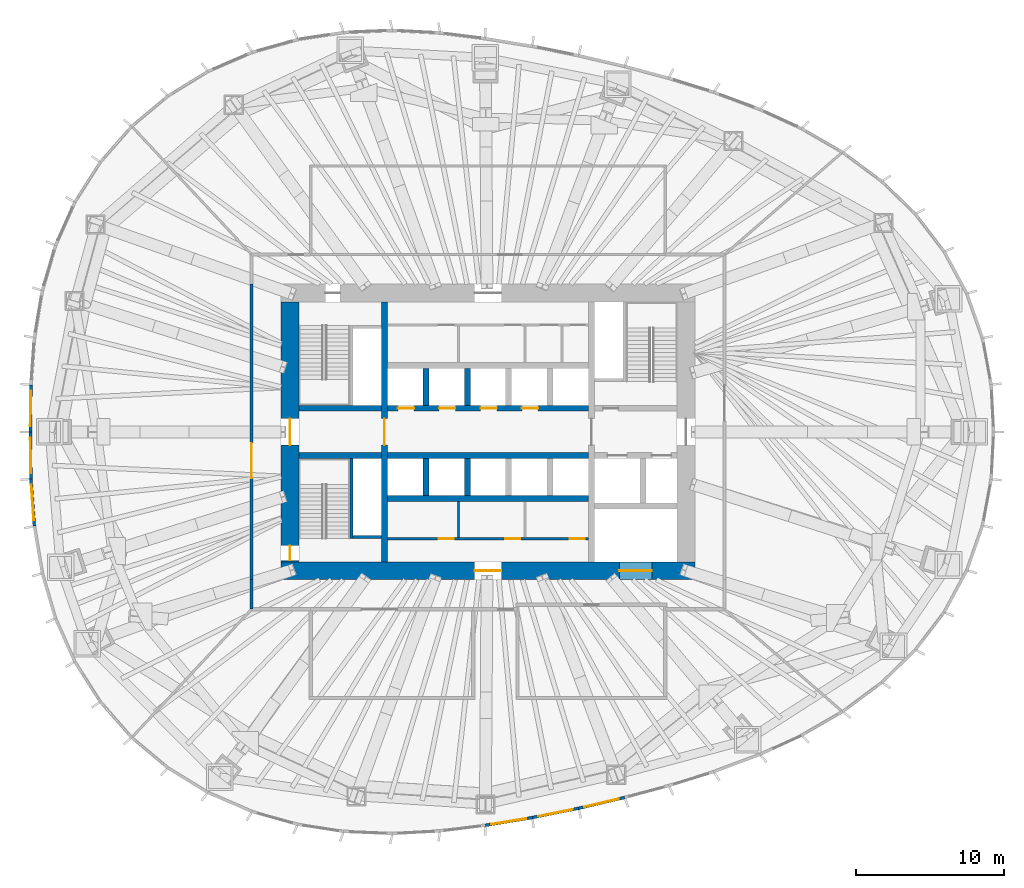
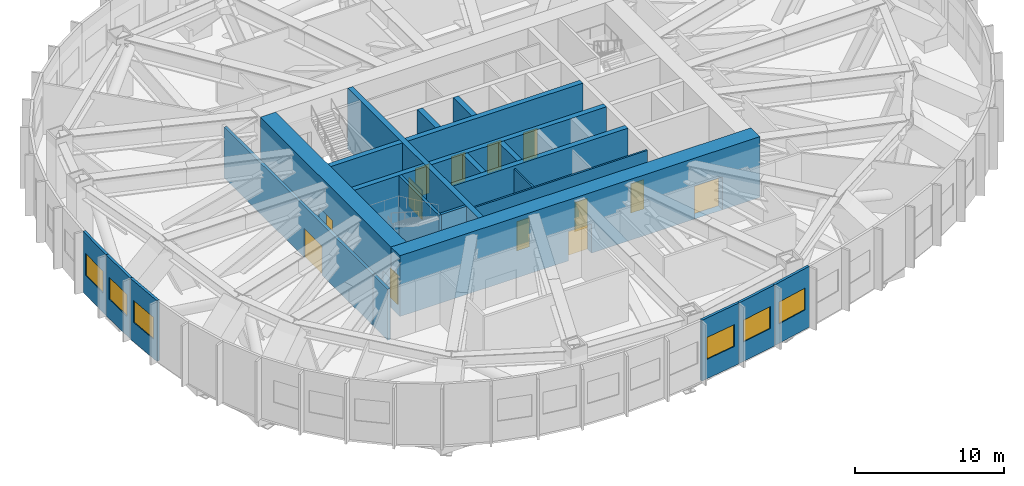
# One storey, part 7 of 12: 24 walls, 13 doors, 6 windows, 19 openings.
"""IFC4 building model written with IfcOpenShell, lengths in metres."""

import ifcopenshell
import ifcopenshell.guid

model = None  # the IFC model being written
_history = None  # IfcOwnerHistory: only IFC2X3 demands one
_inside = {}  # id of a spatial element -> (the spatial element, [elements in it])
_under = {}  # id of a project, library or spatial element -> (it, [spatial elements below it])
_declared = {}  # id of a project -> (the project, [libraries it declares])
_typed = {}  # id of a type object -> (the type object, [elements of that type])
_made_of = {}  # id of a material, layer set ... -> (it, [elements and type objects made of it])


def new_model(schema):
    """Start an empty IFC model of exactly this schema.

    Asked for "IFC4X3", IfcOpenShell would pick the latest addendum, in which some entities
    have other attributes; the version numbers below select the first issue.
    IFC2X3 requires an IfcOwnerHistory on every rooted entity: one is made here for all.
    """
    global model, _history
    if schema == "IFC4X3":
        model = ifcopenshell.file(schema_version=(4, 3, 0, 0))
    else:
        model = ifcopenshell.file(schema=schema)
    _inside.clear()
    _under.clear()
    _declared.clear()
    _typed.clear()
    _made_of.clear()
    _history = None
    if model.schema == "IFC2X3":
        org = make("IfcOrganization", Name="unknown")
        user = make(
            "IfcPersonAndOrganization",
            ThePerson=make("IfcPerson", FamilyName="unknown"),
            TheOrganization=org,
        )
        app = make(
            "IfcApplication",
            ApplicationDeveloper=org,
            Version="unknown",
            ApplicationFullName="unknown",
            ApplicationIdentifier="unknown",
        )
        _history = make(
            "IfcOwnerHistory",
            OwningUser=user,
            OwningApplication=app,
            ChangeAction="ADDED",
            CreationDate=0,
        )
    return model


def make(cls, **values):
    """One entity of the class cls with the attributes given. An attribute that is None is left unset."""
    return model.create_entity(
        cls, **{name: value for name, value in values.items() if value is not None}
    )


def rooted(cls, **values):
    """An entity with a GlobalId (a new one), such as an element, a storey or a relation."""
    return make(cls, GlobalId=ifcopenshell.guid.new(), OwnerHistory=_history, **values)


def si_unit(unit_type, name, prefix=None):
    """IfcSIUnit, for example si_unit("LENGTHUNIT", "METRE", prefix="MILLI")."""
    return make("IfcSIUnit", UnitType=unit_type, Prefix=prefix, Name=name)


def assignment(units):
    """IfcUnitAssignment: the units of a project."""
    return None if units is None else make("IfcUnitAssignment", Units=units)


def point(xyz):
    """IfcCartesianPoint."""
    return None if xyz is None else make("IfcCartesianPoint", Coordinates=xyz)


def direction(xyz):
    """IfcDirection."""
    return None if xyz is None else make("IfcDirection", DirectionRatios=xyz)


def frame(location, z_axis=None, x_axis=None):
    """IfcAxis2Placement3D, a coordinate frame: its origin and axes. An axis left out is left unset."""
    return make(
        "IfcAxis2Placement3D",
        Location=point(location),
        Axis=direction(z_axis),
        RefDirection=direction(x_axis),
    )


def frame_2d(location, x_axis=None):
    """IfcAxis2Placement2D, a coordinate frame in the plane: its origin and x axis."""
    return make(
        "IfcAxis2Placement2D", Location=point(location), RefDirection=direction(x_axis)
    )


def origin():
    """The frame at (0, 0, 0) with its axes left unset."""
    return frame((0.0, 0.0, 0.0))


def place(relative_to, where):
    """IfcLocalPlacement: puts the frame where relative to a parent placement (None: the world)."""
    return make(
        "IfcLocalPlacement", PlacementRelTo=relative_to, RelativePlacement=where
    )


def context(
    kind, dimensions, precision=None, world=None, true_north=None, identifier=None
):
    """IfcGeometricRepresentationContext, for example the 3D "Model" context."""
    return make(
        "IfcGeometricRepresentationContext",
        ContextIdentifier=identifier,
        ContextType=kind,
        CoordinateSpaceDimension=dimensions,
        Precision=precision,
        WorldCoordinateSystem=world,
        TrueNorth=true_north,
    )


def subcontext(parent, identifier, kind, view, scale=None):
    """IfcGeometricRepresentationSubContext, for example "Body" below "Model"."""
    return make(
        "IfcGeometricRepresentationSubContext",
        ContextIdentifier=identifier,
        ContextType=kind,
        ParentContext=parent,
        TargetScale=scale,
        TargetView=view,
    )


def project(units=None, contexts=None):
    """IfcProject with its units and contexts."""
    return rooted(
        "IfcProject",
        Name="project",
        RepresentationContexts=contexts,
        UnitsInContext=assignment(units),
    )


def spatial(cls, under=None, at=None, **own):
    """A site, building, storey or space (cls), placed at a placement, below another one or the project."""
    s = rooted(cls, ObjectPlacement=at, **own)
    if under is not None:
        _under.setdefault(under.id(), (under, []))[1].append(s)
    return s


def profile(cls, at=None, kind="AREA", **sizes):
    """A parametric profile (cls). Its sizes go by their IFC names, for example OverallWidth=200.0."""
    return make(cls, ProfileType=kind, Position=at, **sizes)


def rectangle(**sizes):
    """IfcRectangleProfileDef."""
    return profile("IfcRectangleProfileDef", **sizes)


def extrude(swept, where, along, depth):
    """IfcExtrudedAreaSolid: the profile swept, set in the frame where, extruded along a direction by depth."""
    return make(
        "IfcExtrudedAreaSolid",
        SweptArea=swept,
        Position=where,
        ExtrudedDirection=direction(along),
        Depth=depth,
    )


def shape(context_of_items, identifier, shape_type, items):
    """IfcShapeRepresentation: the items that make up one representation, for example the "Body"."""
    return make(
        "IfcShapeRepresentation",
        ContextOfItems=context_of_items,
        RepresentationIdentifier=identifier,
        RepresentationType=shape_type,
        Items=items,
    )


def material(Name=None, Category=None):
    """IfcMaterial."""
    return make("IfcMaterial", Name=Name, Category=Category)


def layer(
    of_material, thickness, ventilated=None, Name=None, Category=None, Priority=None
):
    """IfcMaterialLayer: one layer of a wall or slab, of a material (None: an air gap)."""
    return make(
        "IfcMaterialLayer",
        Material=of_material,
        LayerThickness=thickness,
        IsVentilated=ventilated,
        Name=Name,
        Category=Category,
        Priority=Priority,
    )


def layer_set(layers, Name=None):
    """IfcMaterialLayerSet."""
    return make("IfcMaterialLayerSet", MaterialLayers=layers, LayerSetName=Name)


def made_of(thing, what):
    """Note that an element or type object is made of a material, layer set ...; save() writes the relation."""
    if what is not None:
        _made_of.setdefault(what.id(), (what, []))[1].append(thing)
    return thing


def type_object(cls, material=None, **own):
    """A type object (cls), such as IfcWallType, which elements share."""
    return made_of(rooted(cls, **own), material)


def element(
    cls,
    number,
    at=None,
    inside=None,
    cuts=None,
    type_object=None,
    material=None,
    context=None,
    identifier="Body",
    shape_type=None,
    held_by="IfcProductDefinitionShape",
    body=None,
    shapes=None,
    **own,
):
    """One element of the class cls, such as IfcWall. Its Tag is "e" and its number.

    at: its placement. inside: the storey or other place that contains it. cuts: it is an
    opening in that element (IfcRelVoidsElement). A single representation is given by context,
    identifier, shape_type and body (its items); several are given by shapes. held_by: the class
    of the entity that holds the representations. save() writes the other relations.
    """
    e = rooted(cls, Tag="e%d" % number, ObjectPlacement=at, **own)
    if body is not None:
        shapes = [shape(context, identifier, shape_type, body)]
    if shapes is not None:
        e.Representation = make(held_by, Representations=shapes)
    if inside is not None:
        _inside.setdefault(inside.id(), (inside, []))[1].append(e)
    if cuts is not None:
        rooted(
            "IfcRelVoidsElement", RelatingBuildingElement=cuts, RelatedOpeningElement=e
        )
    if type_object is not None:
        _typed.setdefault(type_object.id(), (type_object, []))[1].append(e)
    return made_of(e, material)


def fill(opening, filler):
    """IfcRelFillsElement: the door or window that sits in an opening."""
    return rooted(
        "IfcRelFillsElement",
        RelatingOpeningElement=opening,
        RelatedBuildingElement=filler,
    )


def aggregate(whole, parts):
    """IfcRelAggregates: a whole, such as a stair, and the parts it consists of."""
    return rooted("IfcRelAggregates", RelatingObject=whole, RelatedObjects=parts)


def save(model, path):
    """Write the relations noted so far, then the file.

    IfcRelAggregates (storeys below a building ...), IfcRelContainedInSpatialStructure (elements
    in a storey), IfcRelDefinesByType, IfcRelAssociatesMaterial and IfcRelDeclares: one each for
    every whole, place, type object, material and project.
    """
    for whole, parts in _under.values():
        aggregate(whole, parts)
    for where, things in _inside.values():
        rooted(
            "IfcRelContainedInSpatialStructure",
            RelatedElements=things,
            RelatingStructure=where,
        )
    for kind, things in _typed.values():
        rooted("IfcRelDefinesByType", RelatedObjects=things, RelatingType=kind)
    for what, things in _made_of.values():
        rooted("IfcRelAssociatesMaterial", RelatedObjects=things, RelatingMaterial=what)
    for by, libraries in _declared.values():
        rooted("IfcRelDeclares", RelatingContext=by, RelatedDefinitions=libraries)
    model.write(path)


model = new_model("IFC4")

# Units and contexts
model_context = context("Model", 3, precision=1e-05, world=origin(), true_north=direction((0.0, 1.0)))
body_context = subcontext(model_context, "Body", "Model", "MODEL_VIEW")
ifc_project = project(units=[si_unit("LENGTHUNIT", "METRE"), si_unit("AREAUNIT", "SQUARE_METRE"), si_unit("VOLUMEUNIT", "CUBIC_METRE"), si_unit("PLANEANGLEUNIT", "RADIAN"), si_unit("MASSUNIT", "GRAM", prefix="KILO")], contexts=[model_context])

# Site, building, storey
site_placement = place(None, origin())
site = spatial("IfcSite", under=ifc_project, at=site_placement, CompositionType="ELEMENT")
building_placement = place(site_placement, origin())
building = spatial("IfcBuilding", under=site, at=building_placement, Name="Ghaith Harvest Tower", CompositionType="ELEMENT")
storey_placement = place(building_placement, frame((0.0, 0.0, 100.0)))
storey = spatial("IfcBuildingStorey", under=building, at=storey_placement, Name="L20", CompositionType="ELEMENT", Elevation=100.0)

# Wall, opening, door
ifc_material_1 = material(Name="Concrete blockwork, 1-hour", Category="masonry")
ifc_layer_1 = layer(ifc_material_1, 0.215087890625)
ifc_layer_set_1 = layer_set([ifc_layer_1], Name="BLOCKWORK WALL 215")
wall_type_1 = type_object("IfcWallType", Name="BLOCKWORK WALL 215", PredefinedType="PARTITIONING", material=ifc_layer_set_1)
wall_1_placement = place(storey_placement, frame((-16.0, 10.0, 0.0), z_axis=(0.0, 0.0, 1.0), x_axis=(0.0, -1.0, 0.0)))
wall_1 = element("IfcWall", 1, at=wall_1_placement, inside=storey, type_object=wall_type_1, Name="Plant room wall L20", PredefinedType="PARTITIONING", context=body_context, shape_type="SweptSolid", body=[
    extrude(rectangle(XDim=20.0, YDim=0.215087890625, at=frame_2d((10.0, 0.0))), origin(), (0.0, 0.0, 1.0), 4.199951171875),
])
opening_1_placement = place(wall_1_placement, frame((10.75, 0.0, 0.0)))
opening_1 = element("IfcOpeningElement", 2, at=opening_1_placement, cuts=wall_1, Name="Opening 20-030", PredefinedType="OPENING", context=body_context, shape_type="SweptSolid", body=[
    extrude(rectangle(XDim=2.39990234375, YDim=2.39990234375, at=frame_2d((1.199951171875, 1.199951171875))), frame((0.0, 0.11767578125, 0.0), z_axis=(0.0, -1.0, 0.0), x_axis=(1.0, 0.0, 0.0)), (0.0, 0.0, 1.0), 0.235107421875),
])
ifc_material_2 = material(Name="Timber door", Category="wood")
door_type_1 = type_object("IfcDoorType", Name="D10 PLANT PAIR 2400x2400", OperationType="DOUBLE_DOOR_SINGLE_SWING", PredefinedType="DOOR", material=ifc_material_2)
door_1_placement = place(opening_1_placement, origin())
door_1 = element("IfcDoor", 3, at=door_1_placement, inside=storey, type_object=door_type_1, Name="Mechanical plant room west door", OperationType="DOUBLE_DOOR_SINGLE_SWING", OverallHeight=2.39990234375, OverallWidth=2.39990234375, PredefinedType="DOOR", context=body_context, shape_type="SweptSolid", body=[
    extrude(rectangle(XDim=2.39990234375, YDim=2.39990234375, at=frame_2d((1.199951171875, 1.199951171875))), frame((0.0, 0.02490234375, 0.0), z_axis=(0.0, -1.0, 0.0), x_axis=(1.0, 0.0, 0.0)), (0.0, 0.0, 1.0), 0.050048828125),
])
fill(opening_1, door_1)

# Wall
wall_2_placement = place(storey_placement, frame((-16.0, -10.0, 0.0), z_axis=(0.0, 0.0, 1.0), x_axis=(0.0, -1.0, 0.0)))
element("IfcWall", 4, at=wall_2_placement, inside=storey, type_object=wall_type_1, Name="Plant room wall L20", PredefinedType="PARTITIONING", context=body_context, shape_type="SweptSolid", body=[
    extrude(rectangle(XDim=2.0, YDim=0.215087890625, at=frame_2d((1.0, 0.0))), origin(), (0.0, 0.0, 1.0), 4.199951171875),
])

# Wall, openings, doors
ifc_material_3 = material(Name="Concrete blockwork, fair-faced", Category="masonry")
ifc_layer_2 = layer(ifc_material_3, 0.139892578125)
ifc_layer_set_2 = layer_set([ifc_layer_2], Name="CORE PARTITION 140")
wall_type_2 = type_object("IfcWallType", Name="CORE PARTITION 140", PredefinedType="PARTITIONING", material=ifc_layer_set_2)
wall_3_placement = place(storey_placement, frame((-6.800048828125, -7.22998046875, 0.0), z_axis=(0.0, 0.0, 1.0), x_axis=(1.0, 0.0, 0.0)))
wall_3 = element("IfcWall", 5, at=wall_3_placement, inside=storey, type_object=wall_type_2, Name="Core partition L20", PredefinedType="PARTITIONING", context=body_context, shape_type="SweptSolid", body=[
    extrude(rectangle(XDim=13.60009765625, YDim=0.139892578125, at=frame_2d((6.800048828125, 0.0))), origin(), (0.0, 0.0, 1.0), 4.75),
])
opening_2_placement = place(wall_3_placement, frame((3.47998046875, 0.0, 0.0)))
opening_2 = element("IfcOpeningElement", 6, at=opening_2_placement, cuts=wall_3, Name="Opening 20-012", PredefinedType="OPENING", context=body_context, shape_type="SweptSolid", body=[
    extrude(rectangle(XDim=1.0, YDim=2.39990234375, at=frame_2d((0.5, 1.199951171875))), frame((0.0, 0.080078125, 0.0), z_axis=(0.0, -1.0, 0.0), x_axis=(1.0, 0.0, 0.0)), (0.0, 0.0, 1.0), 0.159912109375),
])
opening_3_placement = place(wall_3_placement, frame((7.97998046875, 0.0, 0.0)))
opening_3 = element("IfcOpeningElement", 7, at=opening_3_placement, cuts=wall_3, Name="Opening 20-013", PredefinedType="OPENING", context=body_context, shape_type="SweptSolid", body=[
    extrude(rectangle(XDim=1.0, YDim=2.39990234375, at=frame_2d((0.5, 1.199951171875))), frame((0.0, 0.080078125, 0.0), z_axis=(0.0, -1.0, 0.0), x_axis=(1.0, 0.0, 0.0)), (0.0, 0.0, 1.0), 0.159912109375),
])
opening_4_placement = place(wall_3_placement, frame((12.35009765625, 0.0, 0.0)))
opening_4 = element("IfcOpeningElement", 8, at=opening_4_placement, cuts=wall_3, Name="Opening 20-014", PredefinedType="OPENING", context=body_context, shape_type="SweptSolid", body=[
    extrude(rectangle(XDim=1.0, YDim=2.39990234375, at=frame_2d((0.5, 1.199951171875))), frame((0.0, 0.080078125, 0.0), z_axis=(0.0, -1.0, 0.0), x_axis=(1.0, 0.0, 0.0)), (0.0, 0.0, 1.0), 0.159912109375),
])
ifc_material_4 = material(Name="Steel fire door", Category="steel")
door_type_2 = type_object("IfcDoorType", Name="D3 FD90 1000x2400", OperationType="SINGLE_SWING_LEFT", PredefinedType="DOOR", material=ifc_material_4)
door_2_placement = place(opening_2_placement, origin())
door_2 = element("IfcDoor", 9, at=door_2_placement, inside=storey, type_object=door_type_2, Name="Electrical room door", OperationType="SINGLE_SWING_LEFT", OverallHeight=2.39990234375, OverallWidth=1.0, PredefinedType="DOOR", context=body_context, shape_type="SweptSolid", body=[
    extrude(rectangle(XDim=1.0, YDim=2.39990234375, at=frame_2d((0.5, 1.199951171875))), frame((0.0, 0.02490234375, 0.0), z_axis=(0.0, -1.0, 0.0), x_axis=(1.0, 0.0, 0.0)), (0.0, 0.0, 1.0), 0.050048828125),
])
fill(opening_2, door_2)
door_3_placement = place(opening_3_placement, origin())
door_3 = element("IfcDoor", 10, at=door_3_placement, inside=storey, type_object=door_type_2, Name="Communications equipment room door", OperationType="SINGLE_SWING_RIGHT", OverallHeight=2.39990234375, OverallWidth=1.0, PredefinedType="DOOR", context=body_context, shape_type="SweptSolid", body=[
    extrude(rectangle(XDim=1.0, YDim=2.39990234375, at=frame_2d((0.5, 1.199951171875))), frame((0.0, 0.02490234375, 0.0), z_axis=(0.0, -1.0, 0.0), x_axis=(1.0, 0.0, 0.0)), (0.0, 0.0, 1.0), 0.050048828125),
])
fill(opening_3, door_3)
door_4_placement = place(opening_4_placement, origin())
door_4 = element("IfcDoor", 11, at=door_4_placement, inside=storey, type_object=door_type_2, Name="Riser room door", OperationType="SINGLE_SWING_RIGHT", OverallHeight=2.39990234375, OverallWidth=1.0, PredefinedType="DOOR", context=body_context, shape_type="SweptSolid", body=[
    extrude(rectangle(XDim=1.0, YDim=2.39990234375, at=frame_2d((0.5, 1.199951171875))), frame((0.0, 0.02490234375, 0.0), z_axis=(0.0, -1.0, 0.0), x_axis=(1.0, 0.0, 0.0)), (0.0, 0.0, 1.0), 0.050048828125),
])
fill(opening_4, door_4)

# Wall
wall_4_placement = place(storey_placement, frame((-2.0, -4.699951171875, 0.0), z_axis=(0.0, 0.0, 1.0), x_axis=(0.0, -1.0, 0.0)))
element("IfcWall", 12, at=wall_4_placement, inside=storey, type_object=wall_type_2, Name="Core partition L20", PredefinedType="PARTITIONING", context=body_context, shape_type="SweptSolid", body=[
    extrude(rectangle(XDim=2.4599609375, YDim=0.139892578125, at=frame_2d((1.22998046875, 0.0))), origin(), (0.0, 0.0, 1.0), 4.75),
])

# Wall, openings, doors
ifc_material_5 = material(Name="Concrete C70/85", Category="concrete")
ifc_layer_3 = layer(ifc_material_5, 1.199951171875)
ifc_layer_set_3 = layer_set([ifc_layer_3], Name="CORE WALL CW1200")
wall_type_3 = type_object("IfcWallType", Name="CORE WALL CW1200", PredefinedType="SHEAR", material=ifc_layer_set_3)
wall_5_placement = place(storey_placement, frame((-14.0, -9.39990234375, 0.0), z_axis=(0.0, 0.0, 1.0), x_axis=(1.0, 0.0, 0.0)))
wall_5 = element("IfcWall", 13, at=wall_5_placement, inside=storey, type_object=wall_type_3, Name="Core wall S L20", PredefinedType="SHEAR", context=body_context, shape_type="SweptSolid", body=[
    extrude(rectangle(XDim=28.0, YDim=1.199951171875, at=frame_2d((14.0, 0.0))), origin(), (0.0, 0.0, 1.0), 5.0),
])
opening_5_placement = place(wall_5_placement, frame((13.10009765625, 0.0, 0.0)))
opening_5 = element("IfcOpeningElement", 14, at=opening_5_placement, cuts=wall_5, Name="Opening 20-016", PredefinedType="OPENING", context=body_context, shape_type="SweptSolid", body=[
    extrude(rectangle(XDim=1.800048828125, YDim=2.39990234375, at=frame_2d((0.89990234375, 1.199951171875))), frame((0.0, 0.60986328125, 0.0), z_axis=(0.0, -1.0, 0.0), x_axis=(1.0, 0.0, 0.0)), (0.0, 0.0, 1.0), 1.219970703125),
])
opening_6_placement = place(wall_5_placement, frame((22.89990234375, 0.0, 0.0)))
opening_6 = element("IfcOpeningElement", 15, at=opening_6_placement, cuts=wall_5, Name="Opening 20-023", PredefinedType="OPENING", context=body_context, shape_type="SweptSolid", body=[
    extrude(rectangle(XDim=2.199951171875, YDim=2.699951171875, at=frame_2d((1.10009765625, 1.35009765625))), frame((0.0, 0.60986328125, 0.0), z_axis=(0.0, -1.0, 0.0), x_axis=(1.0, 0.0, 0.0)), (0.0, 0.0, 1.0), 1.219970703125),
])
ifc_material_6 = material(Name="Steel fire door", Category="steel")
door_type_3 = type_object("IfcDoorType", Name="D4 FD90 PAIR 1800x2400", OperationType="DOUBLE_DOOR_SINGLE_SWING", PredefinedType="DOOR", material=ifc_material_6)
door_5_placement = place(opening_5_placement, origin())
door_5 = element("IfcDoor", 16, at=door_5_placement, inside=storey, type_object=door_type_3, Name="Core service corridor doors", OperationType="DOUBLE_DOOR_SINGLE_SWING", OverallHeight=2.39990234375, OverallWidth=1.800048828125, PredefinedType="DOOR", context=body_context, shape_type="SweptSolid", body=[
    extrude(rectangle(XDim=1.800048828125, YDim=2.39990234375, at=frame_2d((0.89990234375, 1.199951171875))), frame((0.0, 0.02490234375, 0.0), z_axis=(0.0, -1.0, 0.0), x_axis=(1.0, 0.0, 0.0)), (0.0, 0.0, 1.0), 0.050048828125),
])
fill(opening_5, door_5)
ifc_material_7 = material(Name="Steel fire door", Category="steel")
door_type_4 = type_object("IfcDoorType", Name="LD3 LANDING 2200x2700", OperationType="DOUBLE_DOOR_SLIDING", PredefinedType="DOOR", material=ifc_material_7)
door_6_placement = place(opening_6_placement, origin())
door_6 = element("IfcDoor", 17, at=door_6_placement, inside=storey, type_object=door_type_4, Name="Landing door, goods lift GL1", OperationType="DOUBLE_DOOR_SLIDING", OverallHeight=2.699951171875, OverallWidth=2.199951171875, PredefinedType="DOOR", context=body_context, shape_type="SweptSolid", body=[
    extrude(rectangle(XDim=2.199951171875, YDim=2.699951171875, at=frame_2d((1.10009765625, 1.35009765625))), frame((0.0, 0.02490234375, 0.0), z_axis=(0.0, -1.0, 0.0), x_axis=(1.0, 0.0, 0.0)), (0.0, 0.0, 1.0), 0.050048828125),
])
fill(opening_6, door_6)

wall_6_placement = place(storey_placement, frame((-13.39990234375, 8.800048828125, 0.0), z_axis=(0.0, 0.0, 1.0), x_axis=(0.0, -1.0, 0.0)))
wall_6 = element("IfcWall", 18, at=wall_6_placement, inside=storey, type_object=wall_type_3, Name="Core wall W L20", PredefinedType="SHEAR", context=body_context, shape_type="SweptSolid", body=[
    extrude(rectangle(XDim=17.60009765625, YDim=1.199951171875, at=frame_2d((8.800048828125, 0.0))), origin(), (0.0, 0.0, 1.0), 5.0),
])
opening_7_placement = place(wall_6_placement, frame((7.89990234375, 0.0, 0.0)))
opening_7 = element("IfcOpeningElement", 19, at=opening_7_placement, cuts=wall_6, Name="Opening 20-001", PredefinedType="OPENING", context=body_context, shape_type="SweptSolid", body=[
    extrude(rectangle(XDim=1.800048828125, YDim=2.39990234375, at=frame_2d((0.89990234375, 1.199951171875))), frame((0.0, 0.60986328125, 0.0), z_axis=(0.0, -1.0, 0.0), x_axis=(1.0, 0.0, 0.0)), (0.0, 0.0, 1.0), 1.219970703125),
])
opening_8_placement = place(wall_6_placement, frame((16.5, 0.0, 0.0)))
opening_8 = element("IfcOpeningElement", 20, at=opening_8_placement, cuts=wall_6, Name="Opening 20-006", PredefinedType="OPENING", context=body_context, shape_type="SweptSolid", body=[
    extrude(rectangle(XDim=1.0, YDim=2.39990234375, at=frame_2d((0.5, 1.199951171875))), frame((0.0, 0.60986328125, 0.0), z_axis=(0.0, -1.0, 0.0), x_axis=(1.0, 0.0, 0.0)), (0.0, 0.0, 1.0), 1.219970703125),
])
door_7_placement = place(opening_8_placement, origin())
door_7 = element("IfcDoor", 21, at=door_7_placement, inside=storey, type_object=door_type_2, Name="Stair ST3 door", OperationType="SINGLE_SWING_RIGHT", OverallHeight=2.39990234375, OverallWidth=1.0, PredefinedType="DOOR", context=body_context, shape_type="SweptSolid", body=[
    extrude(rectangle(XDim=1.0, YDim=2.39990234375, at=frame_2d((0.5, 1.199951171875))), frame((0.0, 0.02490234375, 0.0), z_axis=(0.0, -1.0, 0.0), x_axis=(1.0, 0.0, 0.0)), (0.0, 0.0, 1.0), 0.050048828125),
])
fill(opening_8, door_7)
door_8_placement = place(opening_7_placement, origin())
door_8 = element("IfcDoor", 22, at=door_8_placement, inside=storey, type_object=door_type_3, Name="West lobby doors", OperationType="DOUBLE_DOOR_SINGLE_SWING", OverallHeight=2.39990234375, OverallWidth=1.800048828125, PredefinedType="DOOR", context=body_context, shape_type="SweptSolid", body=[
    extrude(rectangle(XDim=1.800048828125, YDim=2.39990234375, at=frame_2d((0.89990234375, 1.199951171875))), frame((0.0, 0.02490234375, 0.0), z_axis=(0.0, -1.0, 0.0), x_axis=(1.0, 0.0, 0.0)), (0.0, 0.0, 1.0), 0.050048828125),
])
fill(opening_7, door_8)

# Wall, opening, window
ifc_material_8 = material(Name="Steel, black insulated metal cladding panel", Category="steel")
ifc_layer_4 = layer(ifc_material_8, 0.199951171875)
ifc_layer_set_4 = layer_set([ifc_layer_4], Name="PLANT ENCLOSURE WALL 200")
wall_type_4 = type_object("IfcWallType", Name="PLANT ENCLOSURE WALL 200", PredefinedType="SOLIDWALL", material=ifc_layer_set_4)
wall_7_placement = place(storey_placement, frame((-30.9365234375, 3.176025390625, 0.0), z_axis=(0.0, 0.0, 1.0), x_axis=(-0.012144542076, -0.99992625233, 0.0)))
wall_7 = element("IfcWall", 23, at=wall_7_placement, inside=storey, type_object=wall_type_4, Name="Plant enclosure wall 10.3 L20", PredefinedType="SOLIDWALL", context=body_context, shape_type="SweptSolid", body=[
    extrude(rectangle(XDim=3.17626953125, YDim=0.199951171875, at=frame_2d((1.588134765625, 0.0))), origin(), (0.0, 0.0, 1.0), 5.0),
])
opening_9_placement = place(wall_7_placement, frame((0.38818359375, 0.0, 1.60009765625)))
opening_9 = element("IfcOpeningElement", 24, at=opening_9_placement, cuts=wall_7, Name="Opening LV1", PredefinedType="OPENING", context=body_context, shape_type="SweptSolid", body=[
    extrude(rectangle(XDim=2.39990234375, YDim=1.800048828125, at=frame_2d((1.199951171875, 0.89990234375))), frame((0.0, 0.10986328125, 0.0), z_axis=(0.0, -1.0, 0.0), x_axis=(1.0, 0.0, 0.0)), (0.0, 0.0, 1.0), 0.219970703125),
])
ifc_material_9 = material(Name="Aluminium louvre, black", Category="aluminium")
window_type = type_object("IfcWindowType", Name="LOUVRE L1 2400x1800", PartitioningType="SINGLE_PANEL", PredefinedType="WINDOW", material=ifc_material_9)
window_1_placement = place(opening_9_placement, origin())
window_1 = element("IfcWindow", 25, at=window_1_placement, inside=storey, type_object=window_type, Name="Plant louvre 10.3 L20", OverallHeight=1.800048828125, OverallWidth=2.39990234375, PartitioningType="SINGLE_PANEL", PredefinedType="WINDOW", context=body_context, shape_type="SweptSolid", body=[
    extrude(rectangle(XDim=2.39990234375, YDim=1.800048828125, at=frame_2d((1.199951171875, 0.89990234375))), frame((0.0, 0.030029296875, 0.0), z_axis=(0.0, -1.0, 0.0), x_axis=(1.0, 0.0, 0.0)), (0.0, 0.0, 1.0), 0.06005859375),
])
fill(opening_9, window_1)

wall_8_placement = place(storey_placement, frame((-30.97509765625, 0.0, 0.0), z_axis=(0.0, 0.0, 1.0), x_axis=(0.012144542076, -0.99992625233, 0.0)))
wall_8 = element("IfcWall", 26, at=wall_8_placement, inside=storey, type_object=wall_type_4, Name="Plant enclosure wall 11.1 L20", PredefinedType="SOLIDWALL", context=body_context, shape_type="SweptSolid", body=[
    extrude(rectangle(XDim=3.17626953125, YDim=0.199951171875, at=frame_2d((1.588134765625, 0.0))), origin(), (0.0, 0.0, 1.0), 5.0),
])
opening_10_placement = place(wall_8_placement, frame((0.38818359375, 0.0, 1.60009765625)))
opening_10 = element("IfcOpeningElement", 27, at=opening_10_placement, cuts=wall_8, Name="Opening LV1", PredefinedType="OPENING", context=body_context, shape_type="SweptSolid", body=[
    extrude(rectangle(XDim=2.39990234375, YDim=1.800048828125, at=frame_2d((1.199951171875, 0.89990234375))), frame((0.0, 0.10986328125, 0.0), z_axis=(0.0, -1.0, 0.0), x_axis=(1.0, 0.0, 0.0)), (0.0, 0.0, 1.0), 0.219970703125),
])
window_2_placement = place(opening_10_placement, origin())
window_2 = element("IfcWindow", 28, at=window_2_placement, inside=storey, type_object=window_type, Name="Plant louvre 11.1 L20", OverallHeight=1.800048828125, OverallWidth=2.39990234375, PartitioningType="SINGLE_PANEL", PredefinedType="WINDOW", context=body_context, shape_type="SweptSolid", body=[
    extrude(rectangle(XDim=2.39990234375, YDim=1.800048828125, at=frame_2d((1.199951171875, 0.89990234375))), frame((0.0, 0.030029296875, 0.0), z_axis=(0.0, -1.0, 0.0), x_axis=(1.0, 0.0, 0.0)), (0.0, 0.0, 1.0), 0.06005859375),
])
fill(opening_10, window_2)

wall_9_placement = place(storey_placement, frame((-30.9365234375, -3.176025390625, 0.0), z_axis=(0.0, 0.0, 1.0), x_axis=(0.072395112293, -0.997376031252, 0.0)))
wall_9 = element("IfcWall", 29, at=wall_9_placement, inside=storey, type_object=wall_type_4, Name="Plant enclosure wall 11.2 L20", PredefinedType="SOLIDWALL", context=body_context, shape_type="SweptSolid", body=[
    extrude(rectangle(XDim=3.20361328125, YDim=0.199951171875, at=frame_2d((1.601806640625, 0.0))), origin(), (0.0, 0.0, 1.0), 5.0),
])
opening_11_placement = place(wall_9_placement, frame((0.40185546875, 0.0, 1.60009765625)))
opening_11 = element("IfcOpeningElement", 30, at=opening_11_placement, cuts=wall_9, Name="Opening LV1", PredefinedType="OPENING", context=body_context, shape_type="SweptSolid", body=[
    extrude(rectangle(XDim=2.39990234375, YDim=1.800048828125, at=frame_2d((1.199951171875, 0.89990234375))), frame((0.0, 0.10986328125, 0.0), z_axis=(0.0, -1.0, 0.0), x_axis=(1.0, 0.0, 0.0)), (0.0, 0.0, 1.0), 0.219970703125),
])
window_3_placement = place(opening_11_placement, origin())
window_3 = element("IfcWindow", 31, at=window_3_placement, inside=storey, type_object=window_type, Name="Plant louvre 11.2 L20", OverallHeight=1.800048828125, OverallWidth=2.39990234375, PartitioningType="SINGLE_PANEL", PredefinedType="WINDOW", context=body_context, shape_type="SweptSolid", body=[
    extrude(rectangle(XDim=2.39990234375, YDim=1.800048828125, at=frame_2d((1.199951171875, 0.89990234375))), frame((0.0, 0.030029296875, 0.0), z_axis=(0.0, -1.0, 0.0), x_axis=(1.0, 0.0, 0.0)), (0.0, 0.0, 1.0), 0.06005859375),
])
fill(opening_11, window_3)

wall_10_placement = place(storey_placement, frame((-0.18212890625, -26.627197265625, 0.0), z_axis=(0.0, 0.0, 1.0), x_axis=(0.986783142393, 0.162046381904, 0.0)))
wall_10 = element("IfcWall", 32, at=wall_10_placement, inside=storey, type_object=wall_type_4, Name="Plant enclosure wall 16.1 L20", PredefinedType="SOLIDWALL", context=body_context, shape_type="SweptSolid", body=[
    extrude(rectangle(XDim=3.231689453125, YDim=0.199951171875, at=frame_2d((1.61572265625, 0.0))), origin(), (0.0, 0.0, 1.0), 5.0),
])
opening_12_placement = place(wall_10_placement, frame((0.416015625, 0.0, 1.60009765625)))
opening_12 = element("IfcOpeningElement", 33, at=opening_12_placement, cuts=wall_10, Name="Opening LV1", PredefinedType="OPENING", context=body_context, shape_type="SweptSolid", body=[
    extrude(rectangle(XDim=2.39990234375, YDim=1.800048828125, at=frame_2d((1.199951171875, 0.89990234375))), frame((0.0, 0.10986328125, 0.0), z_axis=(0.0, -1.0, 0.0), x_axis=(1.0, 0.0, 0.0)), (0.0, 0.0, 1.0), 0.219970703125),
])
window_4_placement = place(opening_12_placement, origin())
window_4 = element("IfcWindow", 34, at=window_4_placement, inside=storey, type_object=window_type, Name="Plant louvre 16.1 L20", OverallHeight=1.800048828125, OverallWidth=2.39990234375, PartitioningType="SINGLE_PANEL", PredefinedType="WINDOW", context=body_context, shape_type="SweptSolid", body=[
    extrude(rectangle(XDim=2.39990234375, YDim=1.800048828125, at=frame_2d((1.199951171875, 0.89990234375))), frame((0.0, 0.030029296875, 0.0), z_axis=(0.0, -1.0, 0.0), x_axis=(1.0, 0.0, 0.0)), (0.0, 0.0, 1.0), 0.06005859375),
])
fill(opening_12, window_4)

wall_11_placement = place(storey_placement, frame((3.0068359375, -26.103515625, 0.0), z_axis=(0.0, 0.0, 1.0), x_axis=(0.980424252134, 0.196896637419, 0.0)))
wall_11 = element("IfcWall", 35, at=wall_11_placement, inside=storey, type_object=wall_type_4, Name="Plant enclosure wall 16.2 L20", PredefinedType="SOLIDWALL", context=body_context, shape_type="SweptSolid", body=[
    extrude(rectangle(XDim=3.18798828125, YDim=0.199951171875, at=frame_2d((1.593994140625, 0.0))), origin(), (0.0, 0.0, 1.0), 5.0),
])
opening_13_placement = place(wall_11_placement, frame((0.393798828125, 0.0, 1.60009765625)))
opening_13 = element("IfcOpeningElement", 36, at=opening_13_placement, cuts=wall_11, Name="Opening LV1", PredefinedType="OPENING", context=body_context, shape_type="SweptSolid", body=[
    extrude(rectangle(XDim=2.39990234375, YDim=1.800048828125, at=frame_2d((1.199951171875, 0.89990234375))), frame((0.0, 0.10986328125, 0.0), z_axis=(0.0, -1.0, 0.0), x_axis=(1.0, 0.0, 0.0)), (0.0, 0.0, 1.0), 0.219970703125),
])
window_5_placement = place(opening_13_placement, origin())
window_5 = element("IfcWindow", 37, at=window_5_placement, inside=storey, type_object=window_type, Name="Plant louvre 16.2 L20", OverallHeight=1.800048828125, OverallWidth=2.39990234375, PartitioningType="SINGLE_PANEL", PredefinedType="WINDOW", context=body_context, shape_type="SweptSolid", body=[
    extrude(rectangle(XDim=2.39990234375, YDim=1.800048828125, at=frame_2d((1.199951171875, 0.89990234375))), frame((0.0, 0.030029296875, 0.0), z_axis=(0.0, -1.0, 0.0), x_axis=(1.0, 0.0, 0.0)), (0.0, 0.0, 1.0), 0.06005859375),
])
fill(opening_13, window_5)

wall_12_placement = place(storey_placement, frame((6.13232421875, -25.475830078125, 0.0), z_axis=(0.0, 0.0, 1.0), x_axis=(0.973572895891, 0.228376479493, 0.0)))
wall_12 = element("IfcWall", 38, at=wall_12_placement, inside=storey, type_object=wall_type_4, Name="Plant enclosure wall 16.3 L20", PredefinedType="SOLIDWALL", context=body_context, shape_type="SweptSolid", body=[
    extrude(rectangle(XDim=3.202880859375, YDim=0.199951171875, at=frame_2d((1.6015625, 0.0))), origin(), (0.0, 0.0, 1.0), 5.0),
])
opening_14_placement = place(wall_12_placement, frame((0.4013671875, 0.0, 1.60009765625)))
opening_14 = element("IfcOpeningElement", 39, at=opening_14_placement, cuts=wall_12, Name="Opening LV1", PredefinedType="OPENING", context=body_context, shape_type="SweptSolid", body=[
    extrude(rectangle(XDim=2.39990234375, YDim=1.800048828125, at=frame_2d((1.199951171875, 0.89990234375))), frame((0.0, 0.10986328125, 0.0), z_axis=(0.0, -1.0, 0.0), x_axis=(1.0, 0.0, 0.0)), (0.0, 0.0, 1.0), 0.219970703125),
])
window_6_placement = place(opening_14_placement, origin())
window_6 = element("IfcWindow", 40, at=window_6_placement, inside=storey, type_object=window_type, Name="Plant louvre 16.3 L20", OverallHeight=1.800048828125, OverallWidth=2.39990234375, PartitioningType="SINGLE_PANEL", PredefinedType="WINDOW", context=body_context, shape_type="SweptSolid", body=[
    extrude(rectangle(XDim=2.39990234375, YDim=1.800048828125, at=frame_2d((1.199951171875, 0.89990234375))), frame((0.0, 0.030029296875, 0.0), z_axis=(0.0, -1.0, 0.0), x_axis=(1.0, 0.0, 0.0)), (0.0, 0.0, 1.0), 0.06005859375),
])
fill(opening_14, window_6)

# Wall, opening, door
ifc_material_10 = material(Name="Concrete C70/85", Category="concrete")
ifc_layer_5 = layer(ifc_material_10, 0.39990234375)
ifc_layer_set_5 = layer_set([ifc_layer_5], Name="SHAFT WALL 400")
wall_type_5 = type_object("IfcWallType", Name="SHAFT WALL 400", PredefinedType="SHEAR", material=ifc_layer_set_5)
wall_13_placement = place(storey_placement, frame((-7.0, -8.800048828125, 0.0), z_axis=(0.0, 0.0, 1.0), x_axis=(0.0, 1.0, 0.0)))
wall_13 = element("IfcWall", 41, at=wall_13_placement, inside=storey, type_object=wall_type_5, Name="Shaft wall W7W L20", PredefinedType="SHEAR", context=body_context, shape_type="SweptSolid", body=[
    extrude(rectangle(XDim=17.60009765625, YDim=0.39990234375, at=frame_2d((8.800048828125, 0.0))), origin(), (0.0, 0.0, 1.0), 5.0),
])
opening_15_placement = place(wall_13_placement, frame((7.89990234375, 0.0, 0.0)))
opening_15 = element("IfcOpeningElement", 42, at=opening_15_placement, cuts=wall_13, Name="Opening 20-003", PredefinedType="OPENING", context=body_context, shape_type="SweptSolid", body=[
    extrude(rectangle(XDim=1.800048828125, YDim=2.39990234375, at=frame_2d((0.89990234375, 1.199951171875))), frame((0.0, 0.2099609375, 0.0), z_axis=(0.0, -1.0, 0.0), x_axis=(1.0, 0.0, 0.0)), (0.0, 0.0, 1.0), 0.419921875),
])
door_9_placement = place(opening_15_placement, origin())
door_9 = element("IfcDoor", 43, at=door_9_placement, inside=storey, type_object=door_type_3, Name="Lift lobby doors, west", OperationType="DOUBLE_DOOR_SINGLE_SWING", OverallHeight=2.39990234375, OverallWidth=1.800048828125, PredefinedType="DOOR", context=body_context, shape_type="SweptSolid", body=[
    extrude(rectangle(XDim=1.800048828125, YDim=2.39990234375, at=frame_2d((0.89990234375, 1.199951171875))), frame((0.0, 0.02490234375, 0.0), z_axis=(0.0, -1.0, 0.0), x_axis=(1.0, 0.0, 0.0)), (0.0, 0.0, 1.0), 0.050048828125),
])
fill(opening_15, door_9)

# Wall, openings, doors
wall_14_placement = place(storey_placement, frame((-6.800048828125, 1.60009765625, 0.0), z_axis=(0.0, 0.0, 1.0), x_axis=(1.0, 0.0, 0.0)))
wall_14 = element("IfcWall", 44, at=wall_14_placement, inside=storey, type_object=wall_type_5, Name="Shaft wall LN L20", PredefinedType="SHEAR", context=body_context, shape_type="SweptSolid", body=[
    extrude(rectangle(XDim=13.60009765625, YDim=0.39990234375, at=frame_2d((6.800048828125, 0.0))), origin(), (0.0, 0.0, 1.0), 5.0),
])
opening_16_placement = place(wall_14_placement, frame((0.699951171875, 0.0, 0.0)))
opening_16 = element("IfcOpeningElement", 45, at=opening_16_placement, cuts=wall_14, Name="Opening 20-017", PredefinedType="OPENING", context=body_context, shape_type="SweptSolid", body=[
    extrude(rectangle(XDim=1.10009765625, YDim=2.39990234375, at=frame_2d((0.550048828125, 1.199951171875))), frame((0.0, 0.2099609375, 0.0), z_axis=(0.0, -1.0, 0.0), x_axis=(1.0, 0.0, 0.0)), (0.0, 0.0, 1.0), 0.419921875),
])
opening_17_placement = place(wall_14_placement, frame((3.5, 0.0, 0.0)))
opening_17 = element("IfcOpeningElement", 46, at=opening_17_placement, cuts=wall_14, Name="Opening 20-018", PredefinedType="OPENING", context=body_context, shape_type="SweptSolid", body=[
    extrude(rectangle(XDim=1.10009765625, YDim=2.39990234375, at=frame_2d((0.550048828125, 1.199951171875))), frame((0.0, 0.2099609375, 0.0), z_axis=(0.0, -1.0, 0.0), x_axis=(1.0, 0.0, 0.0)), (0.0, 0.0, 1.0), 0.419921875),
])
opening_18_placement = place(wall_14_placement, frame((6.300048828125, 0.0, 0.0)))
opening_18 = element("IfcOpeningElement", 47, at=opening_18_placement, cuts=wall_14, Name="Opening 20-019", PredefinedType="OPENING", context=body_context, shape_type="SweptSolid", body=[
    extrude(rectangle(XDim=1.10009765625, YDim=2.39990234375, at=frame_2d((0.550048828125, 1.199951171875))), frame((0.0, 0.2099609375, 0.0), z_axis=(0.0, -1.0, 0.0), x_axis=(1.0, 0.0, 0.0)), (0.0, 0.0, 1.0), 0.419921875),
])
opening_19_placement = place(wall_14_placement, frame((9.10009765625, 0.0, 0.0)))
opening_19 = element("IfcOpeningElement", 48, at=opening_19_placement, cuts=wall_14, Name="Opening 20-020", PredefinedType="OPENING", context=body_context, shape_type="SweptSolid", body=[
    extrude(rectangle(XDim=1.10009765625, YDim=2.39990234375, at=frame_2d((0.550048828125, 1.199951171875))), frame((0.0, 0.2099609375, 0.0), z_axis=(0.0, -1.0, 0.0), x_axis=(1.0, 0.0, 0.0)), (0.0, 0.0, 1.0), 0.419921875),
])
ifc_material_11 = material(Name="Steel fire door", Category="steel")
door_type_5 = type_object("IfcDoorType", Name="LD1 LANDING 1100x2400", OperationType="DOUBLE_DOOR_SLIDING", PredefinedType="DOOR", material=ifc_material_11)
door_10_placement = place(opening_16_placement, origin())
door_10 = element("IfcDoor", 49, at=door_10_placement, inside=storey, type_object=door_type_5, Name="Landing door, lift FA1", OperationType="DOUBLE_DOOR_SLIDING", OverallHeight=2.39990234375, OverallWidth=1.10009765625, PredefinedType="DOOR", context=body_context, shape_type="SweptSolid", body=[
    extrude(rectangle(XDim=1.10009765625, YDim=2.39990234375, at=frame_2d((0.550048828125, 1.199951171875))), frame((0.0, 0.02490234375, 0.0), z_axis=(0.0, -1.0, 0.0), x_axis=(1.0, 0.0, 0.0)), (0.0, 0.0, 1.0), 0.050048828125),
])
fill(opening_16, door_10)
door_11_placement = place(opening_17_placement, origin())
door_11 = element("IfcDoor", 50, at=door_11_placement, inside=storey, type_object=door_type_5, Name="Landing door, lift FA2", OperationType="DOUBLE_DOOR_SLIDING", OverallHeight=2.39990234375, OverallWidth=1.10009765625, PredefinedType="DOOR", context=body_context, shape_type="SweptSolid", body=[
    extrude(rectangle(XDim=1.10009765625, YDim=2.39990234375, at=frame_2d((0.550048828125, 1.199951171875))), frame((0.0, 0.02490234375, 0.0), z_axis=(0.0, -1.0, 0.0), x_axis=(1.0, 0.0, 0.0)), (0.0, 0.0, 1.0), 0.050048828125),
])
fill(opening_17, door_11)
door_12_placement = place(opening_18_placement, origin())
door_12 = element("IfcDoor", 51, at=door_12_placement, inside=storey, type_object=door_type_5, Name="Landing door, lift FA3", OperationType="DOUBLE_DOOR_SLIDING", OverallHeight=2.39990234375, OverallWidth=1.10009765625, PredefinedType="DOOR", context=body_context, shape_type="SweptSolid", body=[
    extrude(rectangle(XDim=1.10009765625, YDim=2.39990234375, at=frame_2d((0.550048828125, 1.199951171875))), frame((0.0, 0.02490234375, 0.0), z_axis=(0.0, -1.0, 0.0), x_axis=(1.0, 0.0, 0.0)), (0.0, 0.0, 1.0), 0.050048828125),
])
fill(opening_18, door_12)
door_13_placement = place(opening_19_placement, origin())
door_13 = element("IfcDoor", 52, at=door_13_placement, inside=storey, type_object=door_type_5, Name="Landing door, lift FA4", OperationType="DOUBLE_DOOR_SLIDING", OverallHeight=2.39990234375, OverallWidth=1.10009765625, PredefinedType="DOOR", context=body_context, shape_type="SweptSolid", body=[
    extrude(rectangle(XDim=1.10009765625, YDim=2.39990234375, at=frame_2d((0.550048828125, 1.199951171875))), frame((0.0, 0.02490234375, 0.0), z_axis=(0.0, -1.0, 0.0), x_axis=(1.0, 0.0, 0.0)), (0.0, 0.0, 1.0), 0.050048828125),
])
fill(opening_19, door_13)

# Walls
for number, where, z_axis, x_axis, name in (
    (53, (-6.800048828125, -1.60009765625, 0.0), (0.0, 0.0, 1.0), (1.0, 0.0, 0.0), "Shaft wall LS L20"),
    (54, (-6.800048828125, -4.5, 0.0), (0.0, 0.0, 1.0), (1.0, 0.0, 0.0), "Shaft wall BS L20"),
):
    element("IfcWall", number, at=place(storey_placement, frame(where, z_axis=z_axis, x_axis=x_axis)), inside=storey, type_object=wall_type_5, Name=name, PredefinedType="SHEAR", context=body_context, shape_type="SweptSolid", body=[
        extrude(rectangle(XDim=13.60009765625, YDim=0.39990234375, at=frame_2d((6.800048828125, 0.0))), origin(), (0.0, 0.0, 1.0), 5.0),
    ])
for number, where, z_axis, x_axis, name in (
    (55, (-12.800048828125, 1.60009765625, 0.0), (0.0, 0.0, 1.0), (1.0, 0.0, 0.0), "Shaft wall WN L20"),
    (56, (-12.800048828125, -1.60009765625, 0.0), (0.0, 0.0, 1.0), (1.0, 0.0, 0.0), "Shaft wall WS L20"),
):
    element("IfcWall", number, at=place(storey_placement, frame(where, z_axis=z_axis, x_axis=x_axis)), inside=storey, type_object=wall_type_5, Name=name, PredefinedType="SHEAR", context=body_context, shape_type="SweptSolid", body=[
        extrude(rectangle(XDim=5.60009765625, YDim=0.39990234375, at=frame_2d((2.800048828125, 0.0))), origin(), (0.0, 0.0, 1.0), 5.0),
    ])
for number, where, z_axis, x_axis, name in (
    (57, (-4.199951171875, 1.800048828125, 0.0), (0.0, 0.0, 1.0), (0.0, 1.0, 0.0), "Shaft wall DN1 L20"),
    (58, (-4.199951171875, -4.300048828125, 0.0), (0.0, 0.0, 1.0), (0.0, 1.0, 0.0), "Shaft wall DS1 L20"),
    (59, (-1.39990234375, 1.800048828125, 0.0), (0.0, 0.0, 1.0), (0.0, 1.0, 0.0), "Shaft wall DN2 L20"),
    (60, (-1.39990234375, -4.300048828125, 0.0), (0.0, 0.0, 1.0), (0.0, 1.0, 0.0), "Shaft wall DS2 L20"),
):
    element("IfcWall", number, at=place(storey_placement, frame(where, z_axis=z_axis, x_axis=x_axis)), inside=storey, type_object=wall_type_5, Name=name, PredefinedType="SHEAR", context=body_context, shape_type="SweptSolid", body=[
        extrude(rectangle(XDim=2.5, YDim=0.39990234375, at=frame_2d((1.25, 0.0))), origin(), (0.0, 0.0, 1.0), 5.0),
    ])
ifc_material_12 = material(Name="Concrete C40/50", Category="concrete")
ifc_layer_6 = layer(ifc_material_12, 0.199951171875)
ifc_layer_set_6 = layer_set([ifc_layer_6], Name="STAIR SPINE WALL RC200")
wall_type_6 = type_object("IfcWallType", Name="STAIR SPINE WALL RC200", PredefinedType="SOLIDWALL", material=ifc_layer_set_6)
wall_15_placement = place(storey_placement, frame((-9.25, -7.199951171875, 0.0), z_axis=(0.0, 0.0, 1.0), x_axis=(0.0, 1.0, 0.0)))
element("IfcWall", 61, at=wall_15_placement, inside=storey, type_object=wall_type_6, Name="Stair ST3 spine wall L20", PredefinedType="SOLIDWALL", context=body_context, shape_type="SweptSolid", body=[
    extrude(rectangle(XDim=5.39990234375, YDim=0.199951171875, at=frame_2d((2.699951171875, 0.0))), origin(), (0.0, 0.0, 1.0), 5.0),
])
wall_16_placement = place(storey_placement, frame((-9.14990234375, -7.10009765625, 0.0), z_axis=(0.0, 0.0, 1.0), x_axis=(1.0, 0.0, 0.0)))
element("IfcWall", 62, at=wall_16_placement, inside=storey, type_object=wall_type_6, Name="Stair ST3 spine wall return L20", PredefinedType="SOLIDWALL", context=body_context, shape_type="SweptSolid", body=[
    extrude(rectangle(XDim=1.949951171875, YDim=0.199951171875, at=frame_2d((0.97509765625, 0.0))), origin(), (0.0, 0.0, 1.0), 5.0),
])

save(model, "model.ifc")
